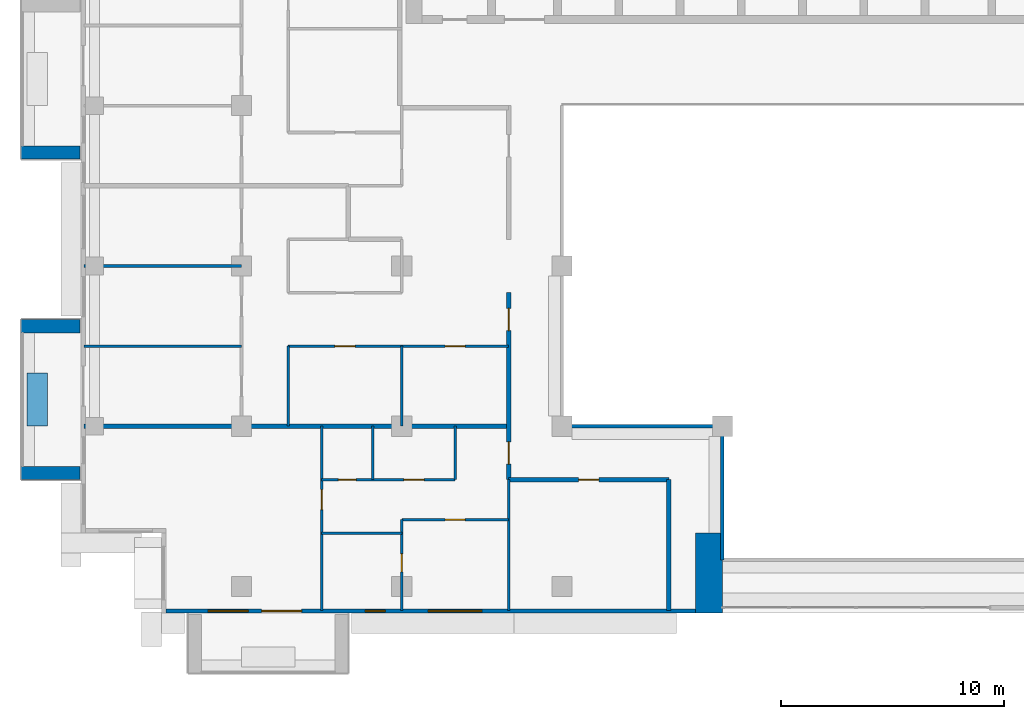
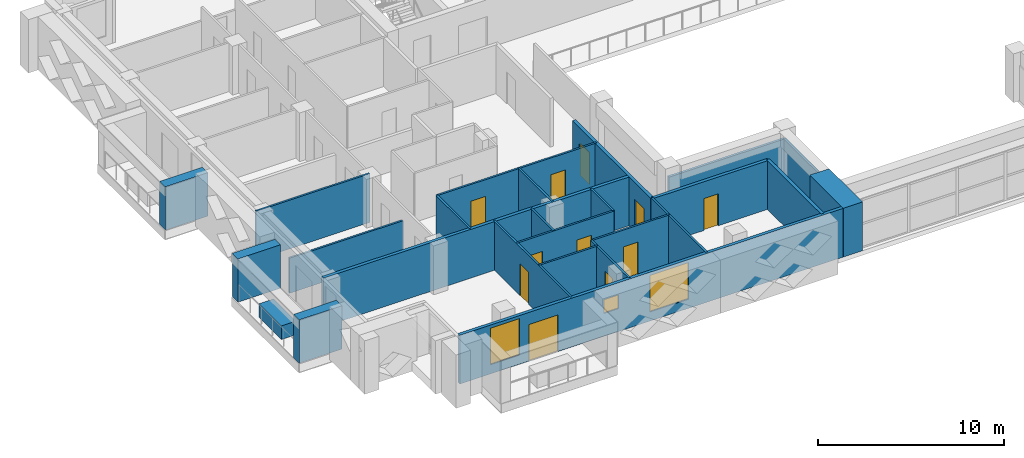
# One storey, part 6 of 20: 25 walls, 11 doors, 3 windows, 14 openings.
"""IFC4 building model written with IfcOpenShell, lengths in metres."""

import ifcopenshell
import ifcopenshell.guid

model = None  # the IFC model being written
_history = None  # IfcOwnerHistory: only IFC2X3 demands one
_inside = {}  # id of a spatial element -> (the spatial element, [elements in it])
_under = {}  # id of a project, library or spatial element -> (it, [spatial elements below it])
_declared = {}  # id of a project -> (the project, [libraries it declares])
_typed = {}  # id of a type object -> (the type object, [elements of that type])
_made_of = {}  # id of a material, layer set ... -> (it, [elements and type objects made of it])


def new_model(schema):
    """Start an empty IFC model of exactly this schema.

    Asked for "IFC4X3", IfcOpenShell would pick the latest addendum, in which some entities
    have other attributes; the version numbers below select the first issue.
    IFC2X3 requires an IfcOwnerHistory on every rooted entity: one is made here for all.
    """
    global model, _history
    if schema == "IFC4X3":
        model = ifcopenshell.file(schema_version=(4, 3, 0, 0))
    else:
        model = ifcopenshell.file(schema=schema)
    _inside.clear()
    _under.clear()
    _declared.clear()
    _typed.clear()
    _made_of.clear()
    _history = None
    if model.schema == "IFC2X3":
        org = make("IfcOrganization", Name="unknown")
        user = make(
            "IfcPersonAndOrganization",
            ThePerson=make("IfcPerson", FamilyName="unknown"),
            TheOrganization=org,
        )
        app = make(
            "IfcApplication",
            ApplicationDeveloper=org,
            Version="unknown",
            ApplicationFullName="unknown",
            ApplicationIdentifier="unknown",
        )
        _history = make(
            "IfcOwnerHistory",
            OwningUser=user,
            OwningApplication=app,
            ChangeAction="ADDED",
            CreationDate=0,
        )
    return model


def make(cls, **values):
    """One entity of the class cls with the attributes given. An attribute that is None is left unset."""
    return model.create_entity(
        cls, **{name: value for name, value in values.items() if value is not None}
    )


def rooted(cls, **values):
    """An entity with a GlobalId (a new one), such as an element, a storey or a relation."""
    return make(cls, GlobalId=ifcopenshell.guid.new(), OwnerHistory=_history, **values)


def si_unit(unit_type, name, prefix=None):
    """IfcSIUnit, for example si_unit("LENGTHUNIT", "METRE", prefix="MILLI")."""
    return make("IfcSIUnit", UnitType=unit_type, Prefix=prefix, Name=name)


def assignment(units):
    """IfcUnitAssignment: the units of a project."""
    return None if units is None else make("IfcUnitAssignment", Units=units)


def point(xyz):
    """IfcCartesianPoint."""
    return None if xyz is None else make("IfcCartesianPoint", Coordinates=xyz)


def direction(xyz):
    """IfcDirection."""
    return None if xyz is None else make("IfcDirection", DirectionRatios=xyz)


def frame(location, z_axis=None, x_axis=None):
    """IfcAxis2Placement3D, a coordinate frame: its origin and axes. An axis left out is left unset."""
    return make(
        "IfcAxis2Placement3D",
        Location=point(location),
        Axis=direction(z_axis),
        RefDirection=direction(x_axis),
    )


def frame_2d(location, x_axis=None):
    """IfcAxis2Placement2D, a coordinate frame in the plane: its origin and x axis."""
    return make(
        "IfcAxis2Placement2D", Location=point(location), RefDirection=direction(x_axis)
    )


def origin():
    """The frame at (0, 0, 0) with its axes left unset."""
    return frame((0.0, 0.0, 0.0))


def place(relative_to, where):
    """IfcLocalPlacement: puts the frame where relative to a parent placement (None: the world)."""
    return make(
        "IfcLocalPlacement", PlacementRelTo=relative_to, RelativePlacement=where
    )


def context(
    kind, dimensions, precision=None, world=None, true_north=None, identifier=None
):
    """IfcGeometricRepresentationContext, for example the 3D "Model" context."""
    return make(
        "IfcGeometricRepresentationContext",
        ContextIdentifier=identifier,
        ContextType=kind,
        CoordinateSpaceDimension=dimensions,
        Precision=precision,
        WorldCoordinateSystem=world,
        TrueNorth=true_north,
    )


def subcontext(parent, identifier, kind, view, scale=None):
    """IfcGeometricRepresentationSubContext, for example "Body" below "Model"."""
    return make(
        "IfcGeometricRepresentationSubContext",
        ContextIdentifier=identifier,
        ContextType=kind,
        ParentContext=parent,
        TargetScale=scale,
        TargetView=view,
    )


def project(units=None, contexts=None):
    """IfcProject with its units and contexts."""
    return rooted(
        "IfcProject",
        Name="project",
        RepresentationContexts=contexts,
        UnitsInContext=assignment(units),
    )


def spatial(cls, under=None, at=None, **own):
    """A site, building, storey or space (cls), placed at a placement, below another one or the project."""
    s = rooted(cls, ObjectPlacement=at, **own)
    if under is not None:
        _under.setdefault(under.id(), (under, []))[1].append(s)
    return s


def profile(cls, at=None, kind="AREA", **sizes):
    """A parametric profile (cls). Its sizes go by their IFC names, for example OverallWidth=200.0."""
    return make(cls, ProfileType=kind, Position=at, **sizes)


def rectangle(**sizes):
    """IfcRectangleProfileDef."""
    return profile("IfcRectangleProfileDef", **sizes)


def extrude(swept, where, along, depth):
    """IfcExtrudedAreaSolid: the profile swept, set in the frame where, extruded along a direction by depth."""
    return make(
        "IfcExtrudedAreaSolid",
        SweptArea=swept,
        Position=where,
        ExtrudedDirection=direction(along),
        Depth=depth,
    )


def shape(context_of_items, identifier, shape_type, items):
    """IfcShapeRepresentation: the items that make up one representation, for example the "Body"."""
    return make(
        "IfcShapeRepresentation",
        ContextOfItems=context_of_items,
        RepresentationIdentifier=identifier,
        RepresentationType=shape_type,
        Items=items,
    )


def material(Name=None, Category=None):
    """IfcMaterial."""
    return make("IfcMaterial", Name=Name, Category=Category)


def layer(
    of_material, thickness, ventilated=None, Name=None, Category=None, Priority=None
):
    """IfcMaterialLayer: one layer of a wall or slab, of a material (None: an air gap)."""
    return make(
        "IfcMaterialLayer",
        Material=of_material,
        LayerThickness=thickness,
        IsVentilated=ventilated,
        Name=Name,
        Category=Category,
        Priority=Priority,
    )


def layer_set(layers, Name=None):
    """IfcMaterialLayerSet."""
    return make("IfcMaterialLayerSet", MaterialLayers=layers, LayerSetName=Name)


def made_of(thing, what):
    """Note that an element or type object is made of a material, layer set ...; save() writes the relation."""
    if what is not None:
        _made_of.setdefault(what.id(), (what, []))[1].append(thing)
    return thing


def type_object(cls, material=None, **own):
    """A type object (cls), such as IfcWallType, which elements share."""
    return made_of(rooted(cls, **own), material)


def element(
    cls,
    number,
    at=None,
    inside=None,
    cuts=None,
    type_object=None,
    material=None,
    context=None,
    identifier="Body",
    shape_type=None,
    held_by="IfcProductDefinitionShape",
    body=None,
    shapes=None,
    **own,
):
    """One element of the class cls, such as IfcWall. Its Tag is "e" and its number.

    at: its placement. inside: the storey or other place that contains it. cuts: it is an
    opening in that element (IfcRelVoidsElement). A single representation is given by context,
    identifier, shape_type and body (its items); several are given by shapes. held_by: the class
    of the entity that holds the representations. save() writes the other relations.
    """
    e = rooted(cls, Tag="e%d" % number, ObjectPlacement=at, **own)
    if body is not None:
        shapes = [shape(context, identifier, shape_type, body)]
    if shapes is not None:
        e.Representation = make(held_by, Representations=shapes)
    if inside is not None:
        _inside.setdefault(inside.id(), (inside, []))[1].append(e)
    if cuts is not None:
        rooted(
            "IfcRelVoidsElement", RelatingBuildingElement=cuts, RelatedOpeningElement=e
        )
    if type_object is not None:
        _typed.setdefault(type_object.id(), (type_object, []))[1].append(e)
    return made_of(e, material)


def fill(opening, filler):
    """IfcRelFillsElement: the door or window that sits in an opening."""
    return rooted(
        "IfcRelFillsElement",
        RelatingOpeningElement=opening,
        RelatedBuildingElement=filler,
    )


def aggregate(whole, parts):
    """IfcRelAggregates: a whole, such as a stair, and the parts it consists of."""
    return rooted("IfcRelAggregates", RelatingObject=whole, RelatedObjects=parts)


def save(model, path):
    """Write the relations noted so far, then the file.

    IfcRelAggregates (storeys below a building ...), IfcRelContainedInSpatialStructure (elements
    in a storey), IfcRelDefinesByType, IfcRelAssociatesMaterial and IfcRelDeclares: one each for
    every whole, place, type object, material and project.
    """
    for whole, parts in _under.values():
        aggregate(whole, parts)
    for where, things in _inside.values():
        rooted(
            "IfcRelContainedInSpatialStructure",
            RelatedElements=things,
            RelatingStructure=where,
        )
    for kind, things in _typed.values():
        rooted("IfcRelDefinesByType", RelatedObjects=things, RelatingType=kind)
    for what, things in _made_of.values():
        rooted("IfcRelAssociatesMaterial", RelatedObjects=things, RelatingMaterial=what)
    for by, libraries in _declared.values():
        rooted("IfcRelDeclares", RelatingContext=by, RelatedDefinitions=libraries)
    model.write(path)


model = new_model("IFC4")

# Units and contexts
model_context = context("Model", 3, precision=1e-05, world=origin(), true_north=direction((0.0, 1.0)))
body_context = subcontext(model_context, "Body", "Model", "MODEL_VIEW")
ifc_project = project(units=[si_unit("LENGTHUNIT", "METRE"), si_unit("AREAUNIT", "SQUARE_METRE"), si_unit("VOLUMEUNIT", "CUBIC_METRE"), si_unit("PLANEANGLEUNIT", "RADIAN"), si_unit("MASSUNIT", "GRAM", prefix="KILO")], contexts=[model_context])

# Site, building, storey
site_placement = place(None, origin())
site = spatial("IfcSite", under=ifc_project, at=site_placement, CompositionType="ELEMENT")
building_placement = place(site_placement, origin())
building = spatial("IfcBuilding", under=site, at=building_placement, Name="Saffron Iwan Residences", CompositionType="ELEMENT")
storey_placement = place(building_placement, frame((0.0, 0.0, 192.0)))
storey = spatial("IfcBuildingStorey", under=building, at=storey_placement, Name="L51", CompositionType="ELEMENT", Elevation=192.0)

# Walls
ifc_material_1 = material(Name="Fire-rated glazing", Category="glass")
ifc_layer_1 = layer(ifc_material_1, 0.14990234375)
ifc_layer_set_1 = layer_set([ifc_layer_1], Name="Fire-rated glazing")
wall_type_1 = type_object("IfcWallType", Name="Atrium glazed screen 150", PredefinedType="SOLIDWALL", material=ifc_layer_set_1)
wall_1_placement = place(storey_placement, frame((36.0, 48.0, 0.0), z_axis=(0.0, 0.0, 1.0), x_axis=(1.0, 0.0, 0.0)))
element("IfcWall", 1, at=wall_1_placement, inside=storey, type_object=wall_type_1, Name="W-L51-SCREEN-h48-36", PredefinedType="SOLIDWALL", context=body_context, shape_type="SweptSolid", body=[
    extrude(rectangle(XDim=7.199951171875, YDim=0.14990234375, at=frame_2d((3.60009765625, 0.0))), origin(), (0.0, 0.0, 1.0), 2.300048828125),
])
wall_2_placement = place(storey_placement, frame((43.199951171875, 42.0, 0.0), z_axis=(0.0, 0.0, 1.0), x_axis=(0.0, 1.0, 0.0)))
element("IfcWall", 2, at=wall_2_placement, inside=storey, type_object=wall_type_1, Name="W-L51-SCREEN-v43.2-42", PredefinedType="SOLIDWALL", context=body_context, shape_type="SweptSolid", body=[
    extrude(rectangle(XDim=6.0, YDim=0.14990234375, at=frame_2d((3.0, 0.0))), origin(), (0.0, 0.0, 1.0), 2.300048828125),
])
ifc_material_2 = material(Name="Concrete C50/60 white painted", Category="concrete")
ifc_layer_2 = layer(ifc_material_2, 0.60009765625)
ifc_layer_set_2 = layer_set([ifc_layer_2], Name="Concrete C50/60 white painted")
wall_type_2 = type_object("IfcWallType", Name="BALCONY FIN 600", PredefinedType="SOLIDWALL", material=ifc_layer_set_2)
for number, where, z_axis, x_axis, name in (
    (3, (14.35009765625, 60.300048828125, 0.0), (0.0, 0.0, 1.0), (-1.0, 0.0, 0.0), "Balcony fin L51 F8-0b"),
    (4, (14.35009765625, 52.5, 0.0), (0.0, 0.0, 1.0), (-1.0, 0.0, 0.0), "Balcony fin L51 F8-1a"),
    (5, (14.35009765625, 45.89990234375, 0.0), (0.0, 0.0, 1.0), (-1.0, 0.0, 0.0), "Balcony fin L51 F8-1b"),
):
    element("IfcWall", number, at=place(storey_placement, frame(where, z_axis=z_axis, x_axis=x_axis)), inside=storey, type_object=wall_type_2, Name=name, PredefinedType="SOLIDWALL", context=body_context, shape_type="SweptSolid", body=[
        extrude(rectangle(XDim=2.650146484375, YDim=0.60009765625, at=frame_2d((1.3251953125, 0.0))), origin(), (0.0, 0.0, 1.0), 2.85009765625),
    ])
ifc_material_3 = material(Name="Concrete C35/45 white painted", Category="concrete")
ifc_layer_3 = layer(ifc_material_3, 0.14990234375)
ifc_layer_set_3 = layer_set([ifc_layer_3], Name="Concrete C35/45 white painted")
wall_type_3 = type_object("IfcWallType", Name="BALCONY PLANTER", PredefinedType="SOLIDWALL", material=ifc_layer_set_3)
wall_3_placement = place(storey_placement, frame((12.425048828125, 50.39990234375, 0.0), z_axis=(0.0, 0.0, 1.0), x_axis=(0.0, -1.0, 0.0)))
element("IfcWall", 6, at=wall_3_placement, inside=storey, type_object=wall_type_3, Name="PLANTER L51 F8-1", PredefinedType="SOLIDWALL", context=body_context, shape_type="SweptSolid", body=[
    extrude(rectangle(XDim=2.39990234375, YDim=0.89990234375, at=frame_2d((1.199951171875, 0.0))), origin(), (0.0, 0.0, 1.0), 0.89990234375),
])

# Wall, openings, door, windows
ifc_material_4 = material(Name="Concrete C40/50", Category="concrete")
ifc_layer_4 = layer(ifc_material_4, 0.199951171875)
ifc_layer_set_4 = layer_set([ifc_layer_4], Name="Concrete C40/50")
wall_type_4 = type_object("IfcWallType", Name="EXTERNAL WALL 200", PredefinedType="SOLIDWALL", material=ifc_layer_set_4)
wall_4_placement = place(storey_placement, frame((18.199951171875, 39.699951171875, 0.0), z_axis=(0.0, 0.0, 1.0), x_axis=(1.0, 0.0, 0.0)))
wall_4 = element("IfcWall", 7, at=wall_4_placement, inside=storey, type_object=wall_type_4, Name="External wall L51 F11.0", PredefinedType="SOLIDWALL", context=body_context, shape_type="SweptSolid", body=[
    extrude(rectangle(XDim=23.800048828125, YDim=0.199951171875, at=frame_2d((11.89990234375, 0.0))), origin(), (0.0, 0.0, 1.0), 3.199951171875),
])
opening_1_placement = place(wall_4_placement, frame((4.300048828125, 0.0, 0.0)))
opening_1 = element("IfcOpeningElement", 8, at=opening_1_placement, cuts=wall_4, Name="Opening BD1", PredefinedType="OPENING", context=body_context, shape_type="SweptSolid", body=[
    extrude(rectangle(XDim=1.800048828125, YDim=2.39990234375, at=frame_2d((0.89990234375, 1.199951171875))), frame((0.0, 0.10986328125, 0.0), z_axis=(0.0, -1.0, 0.0), x_axis=(1.0, 0.0, 0.0)), (0.0, 0.0, 1.0), 0.219970703125),
])
opening_2_placement = place(wall_4_placement, frame((1.89990234375, 0.0, 0.60009765625)))
opening_2 = element("IfcOpeningElement", 9, at=opening_2_placement, cuts=wall_4, Name="Opening W8", PredefinedType="OPENING", context=body_context, shape_type="SweptSolid", body=[
    extrude(rectangle(XDim=1.800048828125, YDim=2.39990234375, at=frame_2d((0.89990234375, 1.199951171875))), frame((0.0, 0.10986328125, 0.0), z_axis=(0.0, -1.0, 0.0), x_axis=(1.0, 0.0, 0.0)), (0.0, 0.0, 1.0), 0.219970703125),
])
opening_3_placement = place(wall_4_placement, frame((11.800048828125, 0.0, 0.60009765625)))
opening_3 = element("IfcOpeningElement", 10, at=opening_3_placement, cuts=wall_4, Name="Opening W1", PredefinedType="OPENING", context=body_context, shape_type="SweptSolid", body=[
    extrude(rectangle(XDim=2.39990234375, YDim=2.39990234375, at=frame_2d((1.199951171875, 1.199951171875))), frame((0.0, 0.10986328125, 0.0), z_axis=(0.0, -1.0, 0.0), x_axis=(1.0, 0.0, 0.0)), (0.0, 0.0, 1.0), 0.219970703125),
])
opening_4_placement = place(wall_4_placement, frame((8.949951171875, 0.0, 1.5)))
opening_4 = element("IfcOpeningElement", 11, at=opening_4_placement, cuts=wall_4, Name="Opening W6", PredefinedType="OPENING", context=body_context, shape_type="SweptSolid", body=[
    extrude(rectangle(XDim=0.89990234375, YDim=0.89990234375, at=frame_2d((0.449951171875, 0.449951171875))), frame((0.0, 0.10986328125, 0.0), z_axis=(0.0, -1.0, 0.0), x_axis=(1.0, 0.0, 0.0)), (0.0, 0.0, 1.0), 0.219970703125),
])
ifc_material_5 = material(Name="Clear glass, laminated double glazed", Category="glass")
door_type_1 = type_object("IfcDoorType", Name="BALCONY DOOR 1800 x 2400", OperationType="DOUBLE_DOOR_SLIDING", PredefinedType="DOOR", material=ifc_material_5)
door_1_placement = place(opening_1_placement, origin())
door_1 = element("IfcDoor", 12, at=door_1_placement, inside=storey, type_object=door_type_1, Name="Balcony door L51 F11.0", OperationType="DOUBLE_DOOR_SLIDING", OverallHeight=2.39990234375, OverallWidth=1.800048828125, PredefinedType="DOOR", context=body_context, shape_type="SweptSolid", body=[
    extrude(rectangle(XDim=1.800048828125, YDim=2.39990234375, at=frame_2d((0.89990234375, 1.199951171875))), frame((0.0, 0.02490234375, 0.0), z_axis=(0.0, -1.0, 0.0), x_axis=(1.0, 0.0, 0.0)), (0.0, 0.0, 1.0), 0.050048828125),
])
fill(opening_1, door_1)
window_type_1 = type_object("IfcWindowType", Name="WINDOW 1800 x 2400", PartitioningType="DOUBLE_PANEL_VERTICAL", PredefinedType="WINDOW", material=ifc_material_5)
window_1_placement = place(opening_2_placement, origin())
window_1 = element("IfcWindow", 13, at=window_1_placement, inside=storey, type_object=window_type_1, Name="Window L51 F11.1", OverallHeight=2.39990234375, OverallWidth=1.800048828125, PartitioningType="DOUBLE_PANEL_VERTICAL", PredefinedType="WINDOW", context=body_context, shape_type="SweptSolid", body=[
    extrude(rectangle(XDim=1.800048828125, YDim=2.39990234375, at=frame_2d((0.89990234375, 1.199951171875))), frame((0.0, 0.030029296875, 0.0), z_axis=(0.0, -1.0, 0.0), x_axis=(1.0, 0.0, 0.0)), (0.0, 0.0, 1.0), 0.06005859375),
])
fill(opening_2, window_1)
window_type_2 = type_object("IfcWindowType", Name="WINDOW 2400 x 2400", PartitioningType="DOUBLE_PANEL_VERTICAL", PredefinedType="WINDOW", material=ifc_material_5)
window_2_placement = place(opening_3_placement, origin())
window_2 = element("IfcWindow", 14, at=window_2_placement, inside=storey, type_object=window_type_2, Name="Window L51 F11.2", OverallHeight=2.39990234375, OverallWidth=2.39990234375, PartitioningType="DOUBLE_PANEL_VERTICAL", PredefinedType="WINDOW", context=body_context, shape_type="SweptSolid", body=[
    extrude(rectangle(XDim=2.39990234375, YDim=2.39990234375, at=frame_2d((1.199951171875, 1.199951171875))), frame((0.0, 0.030029296875, 0.0), z_axis=(0.0, -1.0, 0.0), x_axis=(1.0, 0.0, 0.0)), (0.0, 0.0, 1.0), 0.06005859375),
])
fill(opening_3, window_2)
window_type_3 = type_object("IfcWindowType", Name="WINDOW 900 x 900 BATH", PartitioningType="SINGLE_PANEL", PredefinedType="WINDOW", material=ifc_material_5)
window_3_placement = place(opening_4_placement, origin())
window_3 = element("IfcWindow", 15, at=window_3_placement, inside=storey, type_object=window_type_3, Name="Window L51 F11.3", OverallHeight=0.89990234375, OverallWidth=0.89990234375, PartitioningType="SINGLE_PANEL", PredefinedType="WINDOW", context=body_context, shape_type="SweptSolid", body=[
    extrude(rectangle(XDim=0.89990234375, YDim=0.89990234375, at=frame_2d((0.449951171875, 0.449951171875))), frame((0.0, 0.030029296875, 0.0), z_axis=(0.0, -1.0, 0.0), x_axis=(1.0, 0.0, 0.0)), (0.0, 0.0, 1.0), 0.06005859375),
])
fill(opening_4, window_3)

# Walls
ifc_material_6 = material(Name="Fire-rated gypsum board wall")
ifc_layer_5 = layer(ifc_material_6, 0.199951171875)
ifc_layer_set_5 = layer_set([ifc_layer_5], Name="Fire-rated gypsum board wall")
wall_type_5 = type_object("IfcWallType", Name="Flat demising wall 200", PredefinedType="SOLIDWALL", material=ifc_layer_set_5)
wall_5_placement = place(storey_placement, frame((14.52490234375, 48.0, 0.0), z_axis=(0.0, 0.0, 1.0), x_axis=(1.0, 0.0, 0.0)))
element("IfcWall", 16, at=wall_5_placement, inside=storey, type_object=wall_type_5, Name="W-L51-DEMISE-h48-14.525", PredefinedType="SOLIDWALL", context=body_context, shape_type="SweptSolid", body=[
    extrude(rectangle(XDim=19.0751953125, YDim=0.199951171875, at=frame_2d((9.53759765625, 0.0))), origin(), (0.0, 0.0, 1.0), 3.199951171875),
])
ifc_material_7 = material(Name="Gypsum board partition")
ifc_layer_6 = layer(ifc_material_7, 0.1201171875)
ifc_layer_set_6 = layer_set([ifc_layer_6], Name="Gypsum board partition")
wall_type_6 = type_object("IfcWallType", Name="Flat partition 120", PredefinedType="PARTITIONING", material=ifc_layer_set_6)
wall_6_placement = place(storey_placement, frame((25.199951171875, 43.199951171875, 0.0), z_axis=(0.0, 0.0, 1.0), x_axis=(1.0, 0.0, 0.0)))
element("IfcWall", 17, at=wall_6_placement, inside=storey, type_object=wall_type_6, Name="W-L51-PART-h43.2-25.2", PredefinedType="PARTITIONING", context=body_context, shape_type="SweptSolid", body=[
    extrude(rectangle(XDim=3.60009765625, YDim=0.1201171875, at=frame_2d((1.800048828125, 0.0))), origin(), (0.0, 0.0, 1.0), 3.199951171875),
])

# Wall, opening, door
wall_7_placement = place(storey_placement, frame((28.800048828125, 43.800048828125, 0.0), z_axis=(0.0, 0.0, 1.0), x_axis=(1.0, 0.0, 0.0)))
wall_7 = element("IfcWall", 18, at=wall_7_placement, inside=storey, type_object=wall_type_6, Name="W-L51-PART-h43.8-28.8", PredefinedType="PARTITIONING", context=body_context, shape_type="SweptSolid", body=[
    extrude(rectangle(XDim=4.800048828125, YDim=0.1201171875, at=frame_2d((2.39990234375, 0.0))), origin(), (0.0, 0.0, 1.0), 3.199951171875),
])
opening_5_placement = place(wall_7_placement, frame((1.949951171875, 0.0, 0.0)))
opening_5 = element("IfcOpeningElement", 19, at=opening_5_placement, cuts=wall_7, Name="Opening FD2", PredefinedType="OPENING", context=body_context, shape_type="SweptSolid", body=[
    extrude(rectangle(XDim=0.89990234375, YDim=2.10009765625, at=frame_2d((0.449951171875, 1.050048828125))), frame((0.0, 0.070068359375, 0.0), z_axis=(0.0, -1.0, 0.0), x_axis=(1.0, 0.0, 0.0)), (0.0, 0.0, 1.0), 0.14013671875),
])
ifc_material_8 = material(Name="Timber door", Category="wood")
door_type_2 = type_object("IfcDoorType", Name="Flat door 900", OperationType="NOTDEFINED", PredefinedType="DOOR", material=ifc_material_8)
door_2_placement = place(opening_5_placement, origin())
door_2 = element("IfcDoor", 20, at=door_2_placement, inside=storey, type_object=door_type_2, Name="Door L51-003", OperationType="SINGLE_SWING_LEFT", OverallHeight=2.10009765625, OverallWidth=0.89990234375, PredefinedType="DOOR", context=body_context, shape_type="SweptSolid", body=[
    extrude(rectangle(XDim=0.89990234375, YDim=2.10009765625, at=frame_2d((0.449951171875, 1.050048828125))), frame((0.0, 0.02490234375, 0.0), z_axis=(0.0, -1.0, 0.0), x_axis=(1.0, 0.0, 0.0)), (0.0, 0.0, 1.0), 0.050048828125),
])
fill(opening_5, door_2)

# Wall, openings, doors
wall_8_placement = place(storey_placement, frame((25.199951171875, 45.60009765625, 0.0), z_axis=(0.0, 0.0, 1.0), x_axis=(1.0, 0.0, 0.0)))
wall_8 = element("IfcWall", 21, at=wall_8_placement, inside=storey, type_object=wall_type_6, Name="W-L51-PART-h45.6-25.2", PredefinedType="PARTITIONING", context=body_context, shape_type="SweptSolid", body=[
    extrude(rectangle(XDim=6.0, YDim=0.1201171875, at=frame_2d((3.0, 0.0))), origin(), (0.0, 0.0, 1.0), 3.199951171875),
])
opening_6_placement = place(wall_8_placement, frame((0.75, 0.0, 0.0)))
opening_6 = element("IfcOpeningElement", 22, at=opening_6_placement, cuts=wall_8, Name="Opening FD3", PredefinedType="OPENING", context=body_context, shape_type="SweptSolid", body=[
    extrude(rectangle(XDim=0.800048828125, YDim=2.10009765625, at=frame_2d((0.39990234375, 1.050048828125))), frame((0.0, 0.070068359375, 0.0), z_axis=(0.0, -1.0, 0.0), x_axis=(1.0, 0.0, 0.0)), (0.0, 0.0, 1.0), 0.14013671875),
])
opening_7_placement = place(wall_8_placement, frame((3.699951171875, 0.0, 0.0)))
opening_7 = element("IfcOpeningElement", 23, at=opening_7_placement, cuts=wall_8, Name="Opening FD2", PredefinedType="OPENING", context=body_context, shape_type="SweptSolid", body=[
    extrude(rectangle(XDim=0.89990234375, YDim=2.10009765625, at=frame_2d((0.449951171875, 1.050048828125))), frame((0.0, 0.070068359375, 0.0), z_axis=(0.0, -1.0, 0.0), x_axis=(1.0, 0.0, 0.0)), (0.0, 0.0, 1.0), 0.14013671875),
])
door_type_3 = type_object("IfcDoorType", Name="Bathroom door 800", OperationType="NOTDEFINED", PredefinedType="DOOR", material=ifc_material_8)
door_3_placement = place(opening_6_placement, origin())
door_3 = element("IfcDoor", 24, at=door_3_placement, inside=storey, type_object=door_type_3, Name="Door L51-005", OperationType="SINGLE_SWING_LEFT", OverallHeight=2.10009765625, OverallWidth=0.800048828125, PredefinedType="DOOR", context=body_context, shape_type="SweptSolid", body=[
    extrude(rectangle(XDim=0.800048828125, YDim=2.10009765625, at=frame_2d((0.39990234375, 1.050048828125))), frame((0.0, 0.02490234375, 0.0), z_axis=(0.0, -1.0, 0.0), x_axis=(1.0, 0.0, 0.0)), (0.0, 0.0, 1.0), 0.050048828125),
])
fill(opening_6, door_3)
door_4_placement = place(opening_7_placement, origin())
door_4 = element("IfcDoor", 25, at=door_4_placement, inside=storey, type_object=door_type_2, Name="Door L51-006", OperationType="SINGLE_SWING_LEFT", OverallHeight=2.10009765625, OverallWidth=0.89990234375, PredefinedType="DOOR", context=body_context, shape_type="SweptSolid", body=[
    extrude(rectangle(XDim=0.89990234375, YDim=2.10009765625, at=frame_2d((0.449951171875, 1.050048828125))), frame((0.0, 0.02490234375, 0.0), z_axis=(0.0, -1.0, 0.0), x_axis=(1.0, 0.0, 0.0)), (0.0, 0.0, 1.0), 0.050048828125),
])
fill(opening_7, door_4)

# Wall
wall_9_placement = place(storey_placement, frame((14.52490234375, 51.60009765625, 0.0), z_axis=(0.0, 0.0, 1.0), x_axis=(1.0, 0.0, 0.0)))
element("IfcWall", 26, at=wall_9_placement, inside=storey, type_object=wall_type_6, Name="W-L51-PART-h51.6-14.525", PredefinedType="PARTITIONING", context=body_context, shape_type="SweptSolid", body=[
    extrude(rectangle(XDim=7.0751953125, YDim=0.1201171875, at=frame_2d((3.53759765625, 0.0))), origin(), (0.0, 0.0, 1.0), 2.300048828125),
])

# Wall, openings, doors
wall_10_placement = place(storey_placement, frame((23.699951171875, 51.60009765625, 0.0), z_axis=(0.0, 0.0, 1.0), x_axis=(1.0, 0.0, 0.0)))
wall_10 = element("IfcWall", 27, at=wall_10_placement, inside=storey, type_object=wall_type_6, Name="W-L51-PART-h51.6-23.7", PredefinedType="PARTITIONING", context=body_context, shape_type="SweptSolid", body=[
    extrude(rectangle(XDim=9.900146484375, YDim=0.1201171875, at=frame_2d((4.9501953125, 0.0))), origin(), (0.0, 0.0, 1.0), 3.199951171875),
])
opening_8_placement = place(wall_10_placement, frame((2.10009765625, 0.0, 0.0)))
opening_8 = element("IfcOpeningElement", 28, at=opening_8_placement, cuts=wall_10, Name="Opening FD2", PredefinedType="OPENING", context=body_context, shape_type="SweptSolid", body=[
    extrude(rectangle(XDim=0.89990234375, YDim=2.10009765625, at=frame_2d((0.449951171875, 1.050048828125))), frame((0.0, 0.070068359375, 0.0), z_axis=(0.0, -1.0, 0.0), x_axis=(1.0, 0.0, 0.0)), (0.0, 0.0, 1.0), 0.14013671875),
])
opening_9_placement = place(wall_10_placement, frame((7.050048828125, 0.0, 0.0)))
opening_9 = element("IfcOpeningElement", 29, at=opening_9_placement, cuts=wall_10, Name="Opening FD2", PredefinedType="OPENING", context=body_context, shape_type="SweptSolid", body=[
    extrude(rectangle(XDim=0.89990234375, YDim=2.10009765625, at=frame_2d((0.449951171875, 1.050048828125))), frame((0.0, 0.070068359375, 0.0), z_axis=(0.0, -1.0, 0.0), x_axis=(1.0, 0.0, 0.0)), (0.0, 0.0, 1.0), 0.14013671875),
])
door_5_placement = place(opening_8_placement, origin())
door_5 = element("IfcDoor", 30, at=door_5_placement, inside=storey, type_object=door_type_2, Name="Door L51-012", OperationType="SINGLE_SWING_LEFT", OverallHeight=2.10009765625, OverallWidth=0.89990234375, PredefinedType="DOOR", context=body_context, shape_type="SweptSolid", body=[
    extrude(rectangle(XDim=0.89990234375, YDim=2.10009765625, at=frame_2d((0.449951171875, 1.050048828125))), frame((0.0, 0.02490234375, 0.0), z_axis=(0.0, -1.0, 0.0), x_axis=(1.0, 0.0, 0.0)), (0.0, 0.0, 1.0), 0.050048828125),
])
fill(opening_8, door_5)
door_6_placement = place(opening_9_placement, origin())
door_6 = element("IfcDoor", 31, at=door_6_placement, inside=storey, type_object=door_type_2, Name="Door L51-014", OperationType="SINGLE_SWING_LEFT", OverallHeight=2.10009765625, OverallWidth=0.89990234375, PredefinedType="DOOR", context=body_context, shape_type="SweptSolid", body=[
    extrude(rectangle(XDim=0.89990234375, YDim=2.10009765625, at=frame_2d((0.449951171875, 1.050048828125))), frame((0.0, 0.02490234375, 0.0), z_axis=(0.0, -1.0, 0.0), x_axis=(1.0, 0.0, 0.0)), (0.0, 0.0, 1.0), 0.050048828125),
])
fill(opening_9, door_6)

# Walls
wall_11_placement = place(storey_placement, frame((14.52490234375, 55.199951171875, 0.0), z_axis=(0.0, 0.0, 1.0), x_axis=(1.0, 0.0, 0.0)))
element("IfcWall", 32, at=wall_11_placement, inside=storey, type_object=wall_type_6, Name="W-L51-PART-h55.2-14.525", PredefinedType="PARTITIONING", context=body_context, shape_type="SweptSolid", body=[
    extrude(rectangle(XDim=7.0751953125, YDim=0.1201171875, at=frame_2d((3.53759765625, 0.0))), origin(), (0.0, 0.0, 1.0), 3.199951171875),
])
wall_12_placement = place(storey_placement, frame((23.699951171875, 48.0, 0.0), z_axis=(0.0, 0.0, 1.0), x_axis=(0.0, 1.0, 0.0)))
element("IfcWall", 33, at=wall_12_placement, inside=storey, type_object=wall_type_6, Name="W-L51-PART-v23.7-48", PredefinedType="PARTITIONING", context=body_context, shape_type="SweptSolid", body=[
    extrude(rectangle(XDim=3.60009765625, YDim=0.1201171875, at=frame_2d((1.800048828125, 0.0))), origin(), (0.0, 0.0, 1.0), 3.199951171875),
])

# Wall, opening, door
wall_13_placement = place(storey_placement, frame((25.199951171875, 39.72509765625, 0.0), z_axis=(0.0, 0.0, 1.0), x_axis=(0.0, 1.0, 0.0)))
wall_13 = element("IfcWall", 34, at=wall_13_placement, inside=storey, type_object=wall_type_6, Name="W-L51-PART-v25.2-39.725", PredefinedType="PARTITIONING", context=body_context, shape_type="SweptSolid", body=[
    extrude(rectangle(XDim=8.27490234375, YDim=0.1201171875, at=frame_2d((4.137451171875, 0.0))), origin(), (0.0, 0.0, 1.0), 3.199951171875),
])
opening_10_placement = place(wall_13_placement, frame((4.52490234375, 0.0, 0.0)))
opening_10 = element("IfcOpeningElement", 35, at=opening_10_placement, cuts=wall_13, Name="Opening FD2", PredefinedType="OPENING", context=body_context, shape_type="SweptSolid", body=[
    extrude(rectangle(XDim=0.89990234375, YDim=2.10009765625, at=frame_2d((0.449951171875, 1.050048828125))), frame((0.0, 0.070068359375, 0.0), z_axis=(0.0, -1.0, 0.0), x_axis=(1.0, 0.0, 0.0)), (0.0, 0.0, 1.0), 0.14013671875),
])
door_7_placement = place(opening_10_placement, origin())
door_7 = element("IfcDoor", 36, at=door_7_placement, inside=storey, type_object=door_type_2, Name="Door L51-002", OperationType="SINGLE_SWING_LEFT", OverallHeight=2.10009765625, OverallWidth=0.89990234375, PredefinedType="DOOR", context=body_context, shape_type="SweptSolid", body=[
    extrude(rectangle(XDim=0.89990234375, YDim=2.10009765625, at=frame_2d((0.449951171875, 1.050048828125))), frame((0.0, 0.02490234375, 0.0), z_axis=(0.0, -1.0, 0.0), x_axis=(1.0, 0.0, 0.0)), (0.0, 0.0, 1.0), 0.050048828125),
])
fill(opening_10, door_7)

# Wall
wall_14_placement = place(storey_placement, frame((27.5, 45.60009765625, 0.0), z_axis=(0.0, 0.0, 1.0), x_axis=(0.0, 1.0, 0.0)))
element("IfcWall", 37, at=wall_14_placement, inside=storey, type_object=wall_type_6, Name="W-L51-PART-v27.5-45.6", PredefinedType="PARTITIONING", context=body_context, shape_type="SweptSolid", body=[
    extrude(rectangle(XDim=2.39990234375, YDim=0.1201171875, at=frame_2d((1.199951171875, 0.0))), origin(), (0.0, 0.0, 1.0), 3.199951171875),
])

# Wall, opening, door
wall_15_placement = place(storey_placement, frame((28.800048828125, 39.72509765625, 0.0), z_axis=(0.0, 0.0, 1.0), x_axis=(0.0, 1.0, 0.0)))
wall_15 = element("IfcWall", 38, at=wall_15_placement, inside=storey, type_object=wall_type_6, Name="W-L51-PART-v28.8-39.725", PredefinedType="PARTITIONING", context=body_context, shape_type="SweptSolid", body=[
    extrude(rectangle(XDim=4.074951171875, YDim=0.1201171875, at=frame_2d((2.03759765625, 0.0))), origin(), (0.0, 0.0, 1.0), 3.199951171875),
])
opening_11_placement = place(wall_15_placement, frame((1.737548828125, 0.0, 0.0)))
opening_11 = element("IfcOpeningElement", 39, at=opening_11_placement, cuts=wall_15, Name="Opening FD3", PredefinedType="OPENING", context=body_context, shape_type="SweptSolid", body=[
    extrude(rectangle(XDim=0.800048828125, YDim=2.10009765625, at=frame_2d((0.39990234375, 1.050048828125))), frame((0.0, 0.070068359375, 0.0), z_axis=(0.0, -1.0, 0.0), x_axis=(1.0, 0.0, 0.0)), (0.0, 0.0, 1.0), 0.14013671875),
])
door_8_placement = place(opening_11_placement, origin())
door_8 = element("IfcDoor", 40, at=door_8_placement, inside=storey, type_object=door_type_3, Name="Door L51-004", OperationType="SINGLE_SWING_LEFT", OverallHeight=2.10009765625, OverallWidth=0.800048828125, PredefinedType="DOOR", context=body_context, shape_type="SweptSolid", body=[
    extrude(rectangle(XDim=0.800048828125, YDim=2.10009765625, at=frame_2d((0.39990234375, 1.050048828125))), frame((0.0, 0.02490234375, 0.0), z_axis=(0.0, -1.0, 0.0), x_axis=(1.0, 0.0, 0.0)), (0.0, 0.0, 1.0), 0.050048828125),
])
fill(opening_11, door_8)

# Walls
wall_16_placement = place(storey_placement, frame((28.800048828125, 48.0, 0.0), z_axis=(0.0, 0.0, 1.0), x_axis=(0.0, 1.0, 0.0)))
element("IfcWall", 41, at=wall_16_placement, inside=storey, type_object=wall_type_6, Name="W-L51-PART-v28.8-48", PredefinedType="PARTITIONING", context=body_context, shape_type="SweptSolid", body=[
    extrude(rectangle(XDim=3.60009765625, YDim=0.1201171875, at=frame_2d((1.800048828125, 0.0))), origin(), (0.0, 0.0, 1.0), 3.199951171875),
])
wall_17_placement = place(storey_placement, frame((31.199951171875, 45.60009765625, 0.0), z_axis=(0.0, 0.0, 1.0), x_axis=(0.0, 1.0, 0.0)))
element("IfcWall", 42, at=wall_17_placement, inside=storey, type_object=wall_type_6, Name="W-L51-PART-v31.2-45.6", PredefinedType="PARTITIONING", context=body_context, shape_type="SweptSolid", body=[
    extrude(rectangle(XDim=2.39990234375, YDim=0.1201171875, at=frame_2d((1.199951171875, 0.0))), origin(), (0.0, 0.0, 1.0), 3.199951171875),
])
wall_18_placement = place(storey_placement, frame((33.60009765625, 39.72509765625, 0.0), z_axis=(0.0, 0.0, 1.0), x_axis=(0.0, 1.0, 0.0)))
element("IfcWall", 43, at=wall_18_placement, inside=storey, type_object=wall_type_6, Name="W-L51-PART-v33.6-39.725", PredefinedType="PARTITIONING", context=body_context, shape_type="SweptSolid", body=[
    extrude(rectangle(XDim=5.875, YDim=0.1201171875, at=frame_2d((2.9375, 0.0))), origin(), (0.0, 0.0, 1.0), 3.199951171875),
])

# Wall, opening, door
ifc_layer_7 = layer(ifc_material_6, 0.199951171875)
ifc_layer_set_7 = layer_set([ifc_layer_7], Name="Fire-rated gypsum board wall")
wall_type_7 = type_object("IfcWallType", Name="Gallery wall 200", PredefinedType="SOLIDWALL", material=ifc_layer_set_7)
wall_19_placement = place(storey_placement, frame((33.60009765625, 45.60009765625, 0.0), z_axis=(0.0, 0.0, 1.0), x_axis=(1.0, 0.0, 0.0)))
wall_19 = element("IfcWall", 44, at=wall_19_placement, inside=storey, type_object=wall_type_7, Name="W-L51-CORR-h45.6-33.6", PredefinedType="SOLIDWALL", context=body_context, shape_type="SweptSolid", body=[
    extrude(rectangle(XDim=7.199951171875, YDim=0.199951171875, at=frame_2d((3.60009765625, 0.0))), origin(), (0.0, 0.0, 1.0), 3.199951171875),
])
opening_12_placement = place(wall_19_placement, frame((3.14990234375, 0.0, 0.0)))
opening_12 = element("IfcOpeningElement", 45, at=opening_12_placement, cuts=wall_19, Name="Opening FD2", PredefinedType="OPENING", context=body_context, shape_type="SweptSolid", body=[
    extrude(rectangle(XDim=0.89990234375, YDim=2.10009765625, at=frame_2d((0.449951171875, 1.050048828125))), frame((0.0, 0.10986328125, 0.0), z_axis=(0.0, -1.0, 0.0), x_axis=(1.0, 0.0, 0.0)), (0.0, 0.0, 1.0), 0.219970703125),
])
door_9_placement = place(opening_12_placement, origin())
door_9 = element("IfcDoor", 46, at=door_9_placement, inside=storey, type_object=door_type_2, Name="Door L51-007", OperationType="SINGLE_SWING_RIGHT", OverallHeight=2.10009765625, OverallWidth=0.89990234375, PredefinedType="DOOR", context=body_context, shape_type="SweptSolid", body=[
    extrude(rectangle(XDim=0.89990234375, YDim=2.10009765625, at=frame_2d((0.449951171875, 1.050048828125))), frame((0.0, 0.02490234375, 0.0), z_axis=(0.0, -1.0, 0.0), x_axis=(1.0, 0.0, 0.0)), (0.0, 0.0, 1.0), 0.050048828125),
])
fill(opening_12, door_9)

# Wall, openings, doors
wall_20_placement = place(storey_placement, frame((33.60009765625, 45.60009765625, 0.0), z_axis=(0.0, 0.0, 1.0), x_axis=(0.0, 1.0, 0.0)))
wall_20 = element("IfcWall", 47, at=wall_20_placement, inside=storey, type_object=wall_type_7, Name="W-L51-CORR-v33.6-45.6", PredefinedType="SOLIDWALL", context=body_context, shape_type="SweptSolid", body=[
    extrude(rectangle(XDim=8.39990234375, YDim=0.199951171875, at=frame_2d((4.199951171875, 0.0))), origin(), (0.0, 0.0, 1.0), 3.199951171875),
])
opening_13_placement = place(wall_20_placement, frame((0.699951171875, 0.0, 0.0)))
opening_13 = element("IfcOpeningElement", 48, at=opening_13_placement, cuts=wall_20, Name="Opening FD1", PredefinedType="OPENING", context=body_context, shape_type="SweptSolid", body=[
    extrude(rectangle(XDim=1.0, YDim=2.10009765625, at=frame_2d((0.5, 1.050048828125))), frame((0.0, 0.10986328125, 0.0), z_axis=(0.0, -1.0, 0.0), x_axis=(1.0, 0.0, 0.0)), (0.0, 0.0, 1.0), 0.219970703125),
])
opening_14_placement = place(wall_20_placement, frame((6.699951171875, 0.0, 0.0)))
opening_14 = element("IfcOpeningElement", 49, at=opening_14_placement, cuts=wall_20, Name="Opening FD1", PredefinedType="OPENING", context=body_context, shape_type="SweptSolid", body=[
    extrude(rectangle(XDim=1.0, YDim=2.10009765625, at=frame_2d((0.5, 1.050048828125))), frame((0.0, 0.10986328125, 0.0), z_axis=(0.0, -1.0, 0.0), x_axis=(1.0, 0.0, 0.0)), (0.0, 0.0, 1.0), 0.219970703125),
])
ifc_material_9 = material(Name="Fire-rated timber door", Category="wood")
door_type_4 = type_object("IfcDoorType", Name="FD30S flat entrance door 1000", OperationType="NOTDEFINED", PredefinedType="DOOR", material=ifc_material_9)
door_10_placement = place(opening_13_placement, origin())
door_10 = element("IfcDoor", 50, at=door_10_placement, inside=storey, type_object=door_type_4, Name="Door L51-001", OperationType="SINGLE_SWING_RIGHT", OverallHeight=2.10009765625, OverallWidth=1.0, PredefinedType="DOOR", context=body_context, shape_type="SweptSolid", body=[
    extrude(rectangle(XDim=1.0, YDim=2.10009765625, at=frame_2d((0.5, 1.050048828125))), frame((0.0, 0.02490234375, 0.0), z_axis=(0.0, -1.0, 0.0), x_axis=(1.0, 0.0, 0.0)), (0.0, 0.0, 1.0), 0.050048828125),
])
fill(opening_13, door_10)
door_11_placement = place(opening_14_placement, origin())
door_11 = element("IfcDoor", 51, at=door_11_placement, inside=storey, type_object=door_type_4, Name="Door L51-008", OperationType="SINGLE_SWING_LEFT", OverallHeight=2.10009765625, OverallWidth=1.0, PredefinedType="DOOR", context=body_context, shape_type="SweptSolid", body=[
    extrude(rectangle(XDim=1.0, YDim=2.10009765625, at=frame_2d((0.5, 1.050048828125))), frame((0.0, 0.02490234375, 0.0), z_axis=(0.0, -1.0, 0.0), x_axis=(1.0, 0.0, 0.0)), (0.0, 0.0, 1.0), 0.050048828125),
])
fill(opening_14, door_11)

# Walls
wall_21_placement = place(storey_placement, frame((40.800048828125, 39.72509765625, 0.0), z_axis=(0.0, 0.0, 1.0), x_axis=(0.0, 1.0, 0.0)))
element("IfcWall", 52, at=wall_21_placement, inside=storey, type_object=wall_type_7, Name="W-L51-CORR-v40.8-39.725", PredefinedType="SOLIDWALL", context=body_context, shape_type="SweptSolid", body=[
    extrude(rectangle(XDim=5.875, YDim=0.199951171875, at=frame_2d((2.9375, 0.0))), origin(), (0.0, 0.0, 1.0), 3.199951171875),
])
ifc_material_10 = material(Name="Concrete C50/60", Category="concrete")
ifc_layer_8 = layer(ifc_material_10, 1.199951171875)
ifc_layer_set_8 = layer_set([ifc_layer_8], Name="Concrete C50/60")
wall_type_8 = type_object("IfcWallType", Name="WALL IWAN PIER 1200 C50/60 3200 HIGH", PredefinedType="SHEAR", material=ifc_layer_set_8)
wall_22_placement = place(storey_placement, frame((42.60009765625, 39.60009765625, 0.0), z_axis=(0.0, 0.0, 1.0), x_axis=(0.0, 1.0, 0.0)))
element("IfcWall", 53, at=wall_22_placement, inside=storey, type_object=wall_type_8, Name="IWAN PIER", PredefinedType="SHEAR", context=body_context, shape_type="SweptSolid", body=[
    extrude(rectangle(XDim=3.599853515625, YDim=1.199951171875, at=frame_2d((1.7998046875, 0.0))), origin(), (0.0, 0.0, 1.0), 3.199951171875),
])

save(model, "model.ifc")
